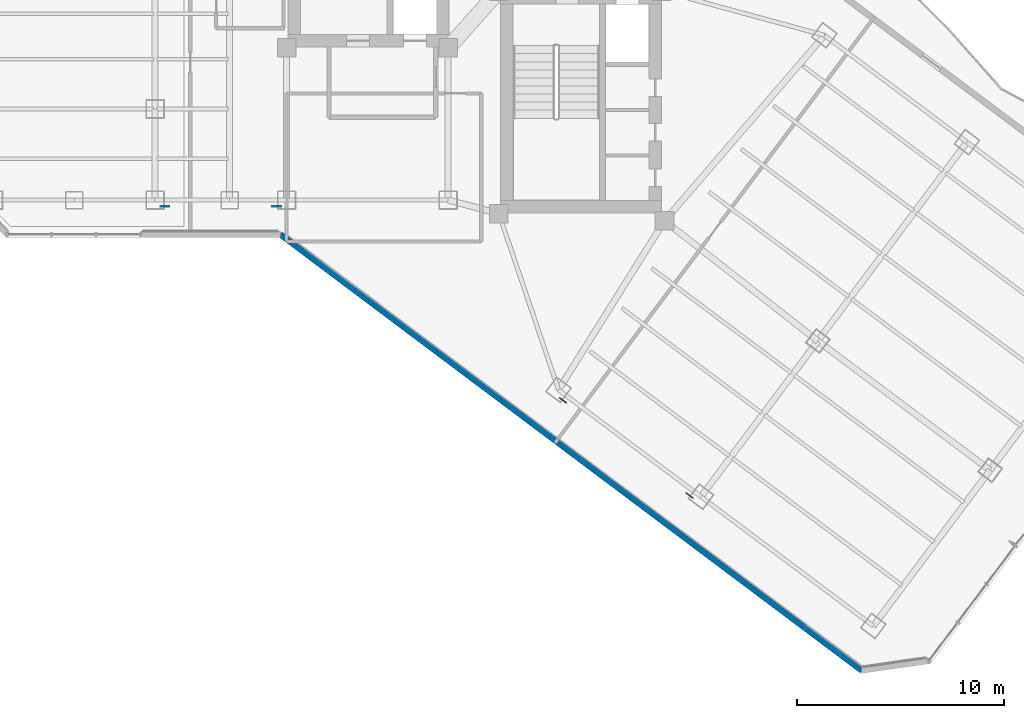
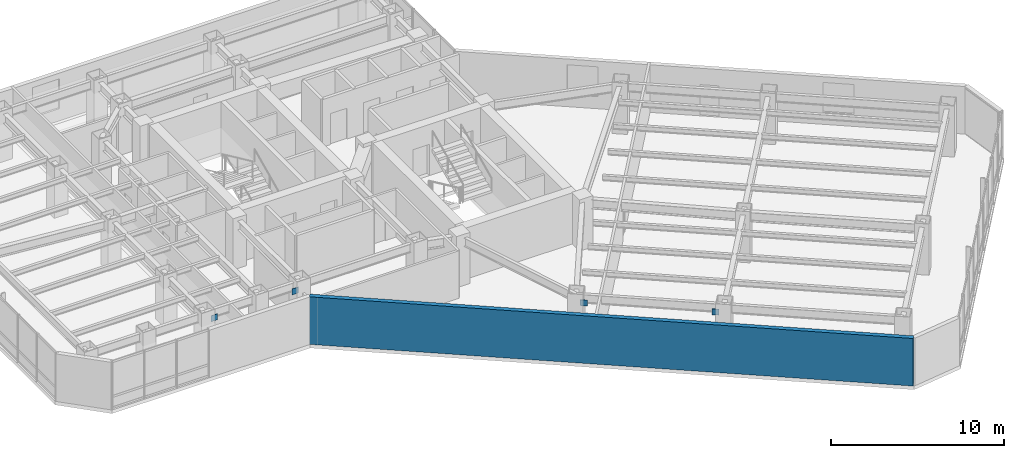
# One storey, part 21 of 29: 4 plates, 1 wall.
"""IFC4 building model written with IfcOpenShell, lengths in metres."""

from ifc_helpers import new_model, si_unit, direction, frame, frame_2d, origin, origin_2d, place, context, subcontext, project, spatial, rectangle, extrude, material, layer, layer_set, type_object, element, save


model = new_model("IFC4")

# Units and contexts
model_context = context("Model", 3, precision=1e-05, world=origin(), true_north=direction((0.0, 1.0)))
body_context = subcontext(model_context, "Body", "Model", "MODEL_VIEW")
ifc_project = project(units=[si_unit("LENGTHUNIT", "METRE"), si_unit("AREAUNIT", "SQUARE_METRE"), si_unit("VOLUMEUNIT", "CUBIC_METRE"), si_unit("PLANEANGLEUNIT", "RADIAN"), si_unit("MASSUNIT", "GRAM", prefix="KILO")], contexts=[model_context])

# Site, building, storey
site_placement = place(None, origin())
site = spatial("IfcSite", under=ifc_project, at=site_placement, CompositionType="ELEMENT")
building_placement = place(site_placement, origin())
building = spatial("IfcBuilding", under=site, at=building_placement, Name="Hatsunagi Terrace Concourse", CompositionType="ELEMENT")
storey_placement = place(building_placement, frame((0.0, 0.0, 104.85009765625)))
storey = spatial("IfcBuildingStorey", under=building, at=storey_placement, Name="L27", CompositionType="ELEMENT", Elevation=104.85009765625)

# Plates
ifc_material_1 = material(Name="Steel SN490C", Category="steel")
ifc_layer_1 = layer(ifc_material_1, 0.031982421875)
ifc_layer_set_1 = layer_set([ifc_layer_1], Name="XBraceNodeCapPlate_32")
plate_type = type_object("IfcPlateType", Name="XBraceNodeCapPlate_32", PredefinedType="USERDEFINED", material=ifc_layer_set_1)
for number, where, z_axis, x_axis, name in (
    (1, (19.675048828125, 24.89990234375, 2.699951171875), (0.0, 0.0, 1.0), (1.0, 0.0, 0.0), "Cast-In Core and Node Embed Plate GP-02 EP-XB-L25-W1-AT"),
    (2, (25.074951171875, 24.89990234375, 2.699951171875), (0.0, 0.0, 1.0), (1.0, 0.0, 0.0), "Cast-In Core and Node Embed Plate GP-02 EP-XB-L25-W1-BT"),
    (3, (38.89208984375, 15.531005859375, 2.699951171875), (0.0, 0.0, 1.0), (0.799999996291, -0.600000004945, 0.0), "Cast-In Core and Node Embed Plate GP-02 EP-XB-L25-SE-AT"),
    (4, (45.011962890625, 10.94091796875, 2.699951171875), (0.0, 0.0, 1.0), (0.799999996291, -0.600000004945, 0.0), "Cast-In Core and Node Embed Plate GP-02 EP-XB-L25-SE-BT"),
):
    element("IfcPlate", number, at=place(storey_placement, frame(where, z_axis=z_axis, x_axis=x_axis)), inside=storey, type_object=plate_type, Name=name, ObjectType="GUSSET_PLATE", PredefinedType="USERDEFINED", context=body_context, shape_type="SweptSolid", body=[
        extrude(rectangle(XDim=0.419921875, YDim=0.031982421875, at=origin_2d()), origin(), (0.0, 0.0, 1.0), 0.419921875),
    ])

# Wall
ifc_material_2 = material(Name="Autoclaved Lightweight Concrete and Terracotta Cladding", Category="masonry")
ifc_layer_2 = layer(ifc_material_2, 0.280029296875)
ifc_layer_set_2 = layer_set([ifc_layer_2], Name="TerracottaSpandrelWall_280")
wall_type = type_object("IfcWallType", Name="TerracottaSpandrelWall_280", PredefinedType="STANDARD", material=ifc_layer_set_2)
wall_placement = place(storey_placement, frame((53.318115234375, 2.487060546875, 0.0), z_axis=(0.0, 0.0, 1.0), x_axis=(-0.800004174678, 0.599994433723, 0.0)))
element("IfcWall", 5, at=wall_placement, inside=storey, type_object=wall_type, Name="Exterior Spandrel Wall EW-L27-05", PredefinedType="STANDARD", context=body_context, shape_type="SweptSolid", body=[
    extrude(rectangle(XDim=35.088623046875, YDim=0.280029296875, at=frame_2d((17.54443359375, 0.0))), origin(), (0.0, 0.0, 1.0), 3.349853515625),
])

save(model, "model.ifc")
